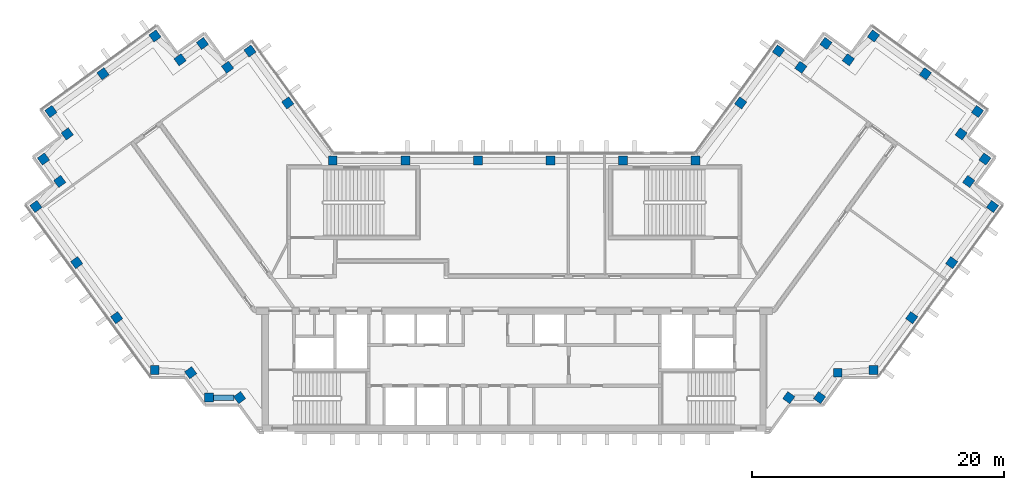
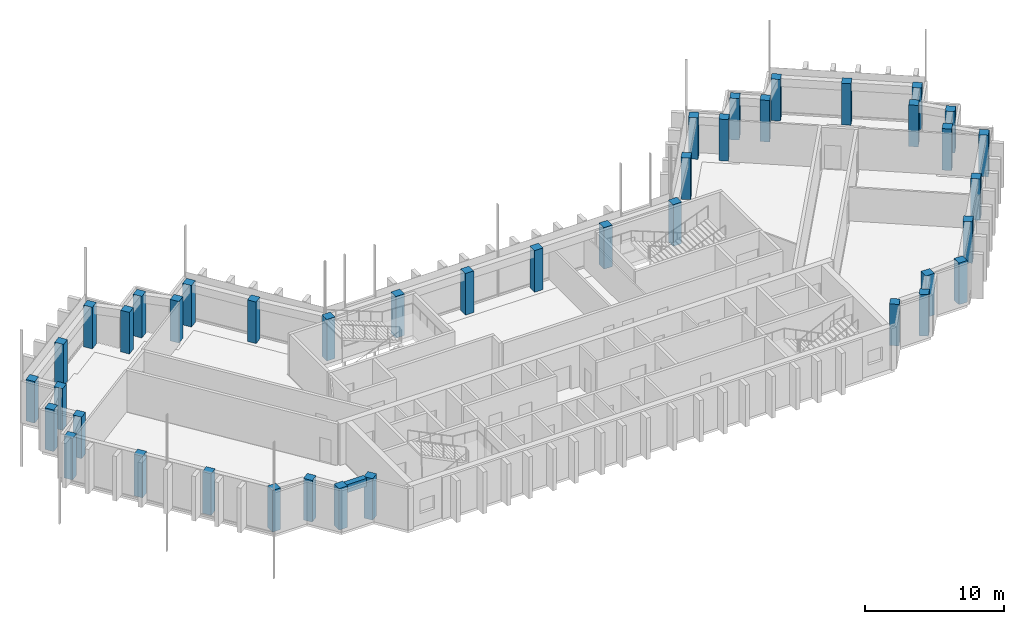
# One storey, part 1 of 13: 42 columns, 1 beam.
"""IFC4 building model written with IfcOpenShell, lengths in metres."""

from ifc_helpers import new_model, si_unit, direction, frame, origin, origin_2d, place, context, subcontext, project, spatial, rectangle, extrude, material, material_profile, profile_set, type_object, element, save


model = new_model("IFC4")

# Units and contexts
model_context = context("Model", 3, precision=1e-05, world=origin(), true_north=direction((0.0, 1.0)))
body_context = subcontext(model_context, "Body", "Model", "MODEL_VIEW")
ifc_project = project(units=[si_unit("LENGTHUNIT", "METRE"), si_unit("AREAUNIT", "SQUARE_METRE"), si_unit("VOLUMEUNIT", "CUBIC_METRE"), si_unit("PLANEANGLEUNIT", "RADIAN"), si_unit("MASSUNIT", "GRAM", prefix="KILO")], contexts=[model_context])

# Site, building, storey
site_placement = place(None, origin())
site = spatial("IfcSite", under=ifc_project, at=site_placement, CompositionType="ELEMENT")
building_placement = place(site_placement, origin())
building = spatial("IfcBuilding", under=site, at=building_placement, Name="Quipu Civic Tower", CompositionType="ELEMENT")
storey_placement = place(building_placement, frame((0.0, 0.0, 347.0)))
storey = spatial("IfcBuildingStorey", under=building, at=storey_placement, Name="L81", CompositionType="ELEMENT", Elevation=347.0)

# Columns
ifc_material_1 = material(Name="Concrete C40/50", Category="concrete")
ifc_material_profile_1 = material_profile(ifc_material_1, rectangle(XDim=0.699951171875, YDim=0.699951171875, at=origin_2d()), Name="RC700x700")
ifc_profile_set_1 = profile_set([ifc_material_profile_1], Name="Concrete C40/50")
column_type = type_object("IfcColumnType", Name="Perimeter column RC 700x700 C40/50", PredefinedType="COLUMN", material=ifc_profile_set_1)
for number, where, z_axis, x_axis, name in (
    (1, (-17.9736328125, 15.074951171875, 0.0), (0.0, 0.0, 1.0), (-0.587785252292, 0.809016994375, 0.0), "Column L81 W-IN-01"),
    (2, (-20.969970703125, 19.195068359375, 0.0), (0.0, 0.0, 1.0), (-0.587785252292, 0.809016994375, 0.0), "Column L81 T-Wi.0-W22"),
    (3, (-22.749267578125, 17.904296875, 0.0), (0.0, 0.0, 1.0), (-0.587785252292, 0.809016994375, 0.0), "Column L81 T-Wi.1-W22"),
    (4, (-24.739990234375, 19.794921875, 0.0), (0.0, 0.0, 1.0), (-0.587785252292, 0.809016994375, 0.0), "Column L81 T-Wi.2-W22"),
    (5, (-26.51904296875, 18.50048828125, 0.0), (0.0, 0.0, 1.0), (-0.587785252292, 0.809016994375, 0.0), "Column L81 T-Wi.3-W22"),
    (6, (-28.510009765625, 20.389892578125, 0.0), (0.0, 0.0, 1.0), (-0.809016994375, -0.587785252292, 0.0), "Column L81 T-Wi.4-W22"),
    (7, (-32.636962890625, 17.39306640625, 0.0), (0.0, 0.0, 1.0), (-0.809016994375, -0.587785252292, 0.0), "Column L81 TIP-W-01-W22"),
    (8, (-36.764892578125, 14.39501953125, 0.0), (0.0, 0.0, 1.0), (0.587785252292, -0.809016994375, 0.0), "Column L81 T-Wo.0-W22"),
    (9, (-35.470703125, 12.616455078125, 0.0), (0.0, 0.0, 1.0), (-0.809016994375, -0.587785252292, 0.0), "Column L81 T-Wo.1-W22"),
    (10, (-37.360107421875, 10.625, 0.0), (0.0, 0.0, 1.0), (0.587785252292, -0.809016994375, 0.0), "Column L81 T-Wo.2-W22"),
    (11, (-36.068115234375, 8.843994140625, 0.0), (0.0, 0.0, 1.0), (0.587785252292, -0.809016994375, 0.0), "Column L81 T-Wo.3-W22"),
    (12, (-37.9599609375, 6.85498046875, 0.0), (0.0, 0.0, 1.0), (0.587785252292, -0.809016994375, 0.0), "Column L81 T-Wo.4-W22"),
    (13, (-34.722412109375, 2.39990234375, 0.0), (0.0, 0.0, 1.0), (0.587785252292, -0.809016994375, 0.0), "Column L81 W-OUT-02"),
    (14, (-31.54833984375, -1.96875, 0.0), (0.0, 0.0, 1.0), (0.587785252292, -0.809016994375, 0.0), "Column L81 W-OUT-01"),
    (15, (-28.52490234375, -6.1298828125, 0.0), (0.0, 0.0, 1.0), (1.0, 0.0, 0.0), "Column L81 J-Wo.0"),
    (16, (-25.67431640625, -6.3369140625, 0.0), (0.0, 0.0, 1.0), (0.587785252292, -0.809016994375, 0.0), "Column L81 J-Wo.1"),
    (17, (-24.235107421875, -8.31494140625, 0.0), (0.0, 0.0, 1.0), (1.0, 0.0, 0.0), "Column L81 J-Wo.2"),
    (18, (-21.791748046875, -8.31494140625, 0.0), (0.0, 0.0, 1.0), (0.587785252292, -0.809016994375, 0.0), "Column L81 J-Wo.3"),
    (19, (21.791748046875, -8.31494140625, 0.0), (0.0, 0.0, 1.0), (0.587785252292, 0.809016994375, 0.0), "Column L81 J-Eo.1"),
    (20, (24.235107421875, -8.31494140625, 0.0), (0.0, 0.0, 1.0), (0.587785252292, 0.809016994375, 0.0), "Column L81 J-Eo.2"),
    (21, (25.67431640625, -6.3369140625, 0.0), (0.0, 0.0, 1.0), (1.0, 0.0, 0.0), "Column L81 J-Eo.3"),
    (22, (28.52490234375, -6.1298828125, 0.0), (0.0, 0.0, 1.0), (1.0, 0.0, 0.0), "Column L81 J-Eo.4"),
    (23, (31.54833984375, -1.96875, 0.0), (0.0, 0.0, 1.0), (0.587785252292, 0.809016994375, 0.0), "Column L81 E-OUT-01"),
    (24, (34.722412109375, 2.39990234375, 0.0), (0.0, 0.0, 1.0), (0.587785252292, 0.809016994375, 0.0), "Column L81 E-OUT-02"),
    (25, (37.9599609375, 6.85498046875, 0.0), (0.0, 0.0, 1.0), (0.587785252292, 0.809016994375, 0.0), "Column L81 T-Eo.0-E22"),
    (26, (36.068115234375, 8.843994140625, 0.0), (0.0, 0.0, 1.0), (0.587785252292, 0.809016994375, 0.0), "Column L81 T-Eo.1-E22"),
    (27, (37.360107421875, 10.625, 0.0), (0.0, 0.0, 1.0), (0.587785252292, 0.809016994375, 0.0), "Column L81 T-Eo.2-E22"),
    (28, (35.470703125, 12.616455078125, 0.0), (0.0, 0.0, 1.0), (-0.809016994375, 0.587785252292, 0.0), "Column L81 T-Eo.3-E22"),
    (29, (36.764892578125, 14.39501953125, 0.0), (0.0, 0.0, 1.0), (-0.809016994375, 0.587785252292, 0.0), "Column L81 T-Eo.4-E22"),
    (30, (32.636962890625, 17.39306640625, 0.0), (0.0, 0.0, 1.0), (-0.809016994375, 0.587785252292, 0.0), "Column L81 TIP-E-01-E22"),
    (31, (28.510009765625, 20.389892578125, 0.0), (0.0, 0.0, 1.0), (-0.587785252292, -0.809016994375, 0.0), "Column L81 T-Ei.0-E22"),
    (32, (26.51904296875, 18.50048828125, 0.0), (0.0, 0.0, 1.0), (-0.809016994375, 0.587785252292, 0.0), "Column L81 T-Ei.1-E22"),
    (33, (24.739990234375, 19.794921875, 0.0), (0.0, 0.0, 1.0), (-0.587785252292, -0.809016994375, 0.0), "Column L81 T-Ei.2-E22"),
    (34, (22.749267578125, 17.904296875, 0.0), (0.0, 0.0, 1.0), (-0.587785252292, -0.809016994375, 0.0), "Column L81 T-Ei.3-E22"),
    (35, (20.969970703125, 19.195068359375, 0.0), (0.0, 0.0, 1.0), (-0.587785252292, -0.809016994375, 0.0), "Column L81 T-Ei.4-E22"),
    (36, (17.9736328125, 15.074951171875, 0.0), (0.0, 0.0, 1.0), (-0.587785252292, -0.809016994375, 0.0), "Column L81 E-IN-01"),
    (37, (14.395263671875, 10.5, 0.0), (0.0, 0.0, 1.0), (-1.0, 0.0, 0.0), "Column L81 J-Ei.0"),
    (38, (8.63720703125, 10.5, 0.0), (0.0, 0.0, 1.0), (-1.0, 0.0, 0.0), "Column L81 FRONT-01"),
    (39, (2.87890625, 10.5, 0.0), (0.0, 0.0, 1.0), (-1.0, 0.0, 0.0), "Column L81 FRONT-02"),
    (40, (-2.87890625, 10.5, 0.0), (0.0, 0.0, 1.0), (-1.0, 0.0, 0.0), "Column L81 FRONT-03"),
    (41, (-8.63720703125, 10.5, 0.0), (0.0, 0.0, 1.0), (-1.0, 0.0, 0.0), "Column L81 FRONT-04"),
    (42, (-14.395263671875, 10.5, 0.0), (0.0, 0.0, 1.0), (-1.0, 0.0, 0.0), "Column L81 J-Wi.0"),
):
    element("IfcColumn", number, at=place(storey_placement, frame(where, z_axis=z_axis, x_axis=x_axis)), inside=storey, type_object=column_type, Name=name, PredefinedType="COLUMN", context=body_context, shape_type="SweptSolid", body=[
        extrude(rectangle(XDim=0.699951171875, YDim=0.699951171875, at=origin_2d()), origin(), (0.0, 0.0, 1.0), 3.64990234375),
    ])

# Beam
ifc_material_2 = material(Name="Concrete C50/60", Category="concrete")
ifc_material_profile_2 = material_profile(ifc_material_2, rectangle(XDim=0.449951171875, YDim=0.699951171875, at=origin_2d()), Name="RC450x700")
ifc_profile_set_2 = profile_set([ifc_material_profile_2], Name="Concrete C50/60")
beam_type = type_object("IfcBeamType", Name="Spandrel beam RC 450x700 C50/60", PredefinedType="SPANDREL", material=ifc_profile_set_2)
beam_placement = place(storey_placement, frame((-23.885009765625, -8.31494140625, 3.300048828125), z_axis=(1.0, 0.0, 0.0), x_axis=(0.0, 1.0, 0.0)))
element("IfcBeam", 43, at=beam_placement, inside=storey, type_object=beam_type, Name="Spandrel beam L81 J-Wo.2 to J-Wo.3", PredefinedType="SPANDREL", context=body_context, shape_type="SweptSolid", body=[
    extrude(rectangle(XDim=0.449951171875, YDim=0.699951171875, at=origin_2d()), origin(), (0.0, 0.0, 1.0), 1.66064453125),
])

save(model, "model.ifc")
